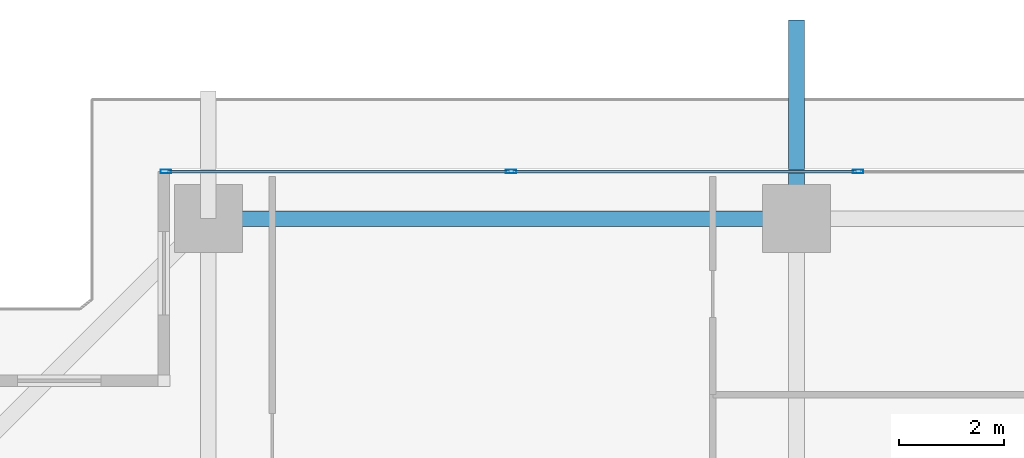
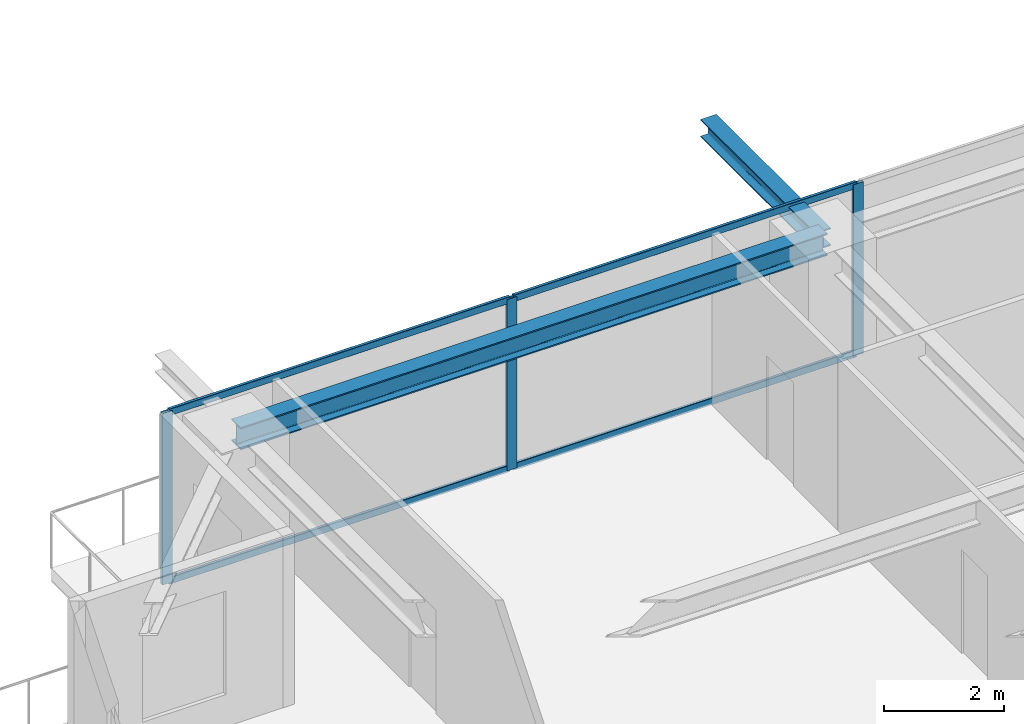
# One storey, part 20 of 36: 7 members, 2 beams, 1 element without a shape of its own.
"""IFC4 building model written with IfcOpenShell, lengths in metres."""

from ifc_helpers import new_model, si_unit, direction, frame, origin, origin_2d, place, context, subcontext, project, spatial, hollow_rectangle, i_section, extrude, source, transform, mapped, material, layer, layer_set, material_profile, profile_set, type_object, element, aggregate, save


model = new_model("IFC4")

# Units and contexts
model_context = context("Model", 3, precision=1e-05, world=origin(), true_north=direction((0.0, 1.0)))
body_context = subcontext(model_context, "Body", "Model", "MODEL_VIEW")
ifc_project = project(units=[si_unit("LENGTHUNIT", "METRE"), si_unit("AREAUNIT", "SQUARE_METRE"), si_unit("VOLUMEUNIT", "CUBIC_METRE"), si_unit("PLANEANGLEUNIT", "RADIAN"), si_unit("MASSUNIT", "GRAM", prefix="KILO")], contexts=[model_context])

# Site, building, storey
site_placement = place(None, origin())
site = spatial("IfcSite", under=ifc_project, at=site_placement, CompositionType="ELEMENT")
building_placement = place(site_placement, origin())
building = spatial("IfcBuilding", under=site, at=building_placement, Name="Serunith Strait Residences", CompositionType="ELEMENT")
storey_placement = place(building_placement, frame((0.0, 0.0, 146.39990234375)))
storey = spatial("IfcBuildingStorey", under=building, at=storey_placement, Name="L36", CompositionType="ELEMENT", Elevation=146.39990234375)

# Beams
ifc_material_1 = material(Name="Steel S355J2", Category="steel")
ifc_material_profile_1 = material_profile(ifc_material_1, i_section(OverallWidth=0.300048828125, OverallDepth=0.449951171875, WebThickness=0.013916015625, FlangeThickness=0.02587890625, FilletRadius=0.027099609375, at=origin_2d()), Name="HEB 450")
ifc_profile_set_1 = profile_set([ifc_material_profile_1], Name="Steel S355J2")
beam_type_1 = type_object("IfcBeamType", Name="BM-HEB450", PredefinedType="BEAM", material=ifc_profile_set_1)
shared_shape_1 = source(origin(), body_context, "Body", "SweptSolid", [
    extrude(i_section(OverallWidth=0.300048828125, OverallDepth=0.449951171875, WebThickness=0.013916015625, FlangeThickness=0.02587890625, FilletRadius=0.027099609375, at=origin_2d()), origin(), (0.0, 0.0, 1.0), 11.25),
])
beam_1_placement = place(storey_placement, frame((27.89990234375, 48.10009765625, 3.26220703125), z_axis=(-1.0, 0.0, 0.0), x_axis=(0.0, -1.0, 0.0)))
element("IfcBeam", 1, at=beam_1_placement, inside=storey, type_object=beam_type_1, Name="L36 Perimeter Ring Beam 11", PredefinedType="BEAM", context=body_context, shape_type="MappedRepresentation", body=[
    mapped(shared_shape_1, transform((0.0, 0.0, 0.0), scale=1.0)),
])
ifc_material_profile_2 = material_profile(ifc_material_1, i_section(OverallWidth=0.300048828125, OverallDepth=0.360107421875, WebThickness=0.012451171875, FlangeThickness=0.0224609375, FilletRadius=0.027099609375, at=origin_2d()), Name="HEB 360")
ifc_profile_set_2 = profile_set([ifc_material_profile_2], Name="Steel S355J2")
beam_type_2 = type_object("IfcBeamType", Name="BM-HEB360", PredefinedType="BEAM", material=ifc_profile_set_2)
shared_shape_2 = source(origin(), body_context, "Body", "SweptSolid", [
    extrude(i_section(OverallWidth=0.300048828125, OverallDepth=0.360107421875, WebThickness=0.012451171875, FlangeThickness=0.0224609375, FilletRadius=0.027099609375, at=origin_2d()), origin(), (0.0, 0.0, 1.0), 3.7998046875),
])
beam_2_placement = place(storey_placement, frame((27.89990234375, 48.10009765625, 3.277099609375), z_axis=(0.0, 1.0, 0.0), x_axis=(-1.0, 0.0, 0.0)))
element("IfcBeam", 2, at=beam_2_placement, inside=storey, type_object=beam_type_2, Name="L37 Cantilevered Balcony Rib TC-N2", PredefinedType="BEAM", context=body_context, shape_type="MappedRepresentation", body=[
    mapped(shared_shape_2, transform((0.0, 0.0, 0.0), scale=1.0)),
])

# Curtain wall, members
ifc_material_2 = material(Name="Pale-Champagne Anodised Aluminium", Category="aluminium")
ifc_layer = layer(ifc_material_2, 0.199951171875, Name="Pale-Champagne Anodised Aluminium")
ifc_layer_set = layer_set([ifc_layer], Name="Pale-Champagne Anodised Aluminium")
curtain_wall_type = type_object("IfcCurtainWallType", Name="CW-SYS2", PredefinedType="NOTDEFINED", material=ifc_layer_set)
curtain_wall_placement = place(storey_placement, origin())
curtain_wall = element("IfcCurtainWall", 3, at=curtain_wall_placement, inside=storey, type_object=curtain_wall_type, Name="L36 N Unitised Fritted Curtain Wall", PredefinedType="NOTDEFINED")
ifc_material_profile_3 = material_profile(ifc_material_2, hollow_rectangle(XDim=0.070068359375, YDim=0.199951171875, WallThickness=0.00390625, InnerFilletRadius=0.006103515625, OuterFilletRadius=0.010009765625, at=origin_2d()), Name="ALU 200x70x4")
ifc_profile_set_3 = profile_set([ifc_material_profile_3], Name="Pale-Champagne Anodised Aluminium")
member_type_1 = type_object("IfcMemberType", Name="CW-SYS2-MULL", PredefinedType="MULLION", material=ifc_profile_set_3)
shared_shape_3 = source(origin(), body_context, "Body", "SweptSolid", [
    extrude(hollow_rectangle(XDim=0.070068359375, YDim=0.199951171875, WallThickness=0.00390625, InnerFilletRadius=0.006103515625, OuterFilletRadius=0.010009765625, at=origin_2d()), origin(), (0.0, 0.0, 1.0), 3.47509765625),
])
member_1_placement = place(storey_placement, frame((29.080078125, 49.0, 0.0), z_axis=(0.0, 0.0, 1.0), x_axis=(0.0, -1.0, 0.0)))
member_1 = element("IfcMember", 4, at=member_1_placement, type_object=member_type_1, Name="CW-2 mullion 4", PredefinedType="MULLION", context=body_context, shape_type="MappedRepresentation", body=[
    mapped(shared_shape_3, transform((0.0, 0.0, 0.0), scale=1.0)),
])
member_2_placement = place(storey_placement, frame((22.43994140625, 49.0, 0.0), z_axis=(0.0, 0.0, 1.0), x_axis=(0.0, -1.0, 0.0)))
member_2 = element("IfcMember", 5, at=member_2_placement, type_object=member_type_1, Name="CW-2 mullion 5", PredefinedType="MULLION", context=body_context, shape_type="MappedRepresentation", body=[
    mapped(shared_shape_3, transform((0.0, 0.0, 0.0), scale=1.0)),
])
member_3_placement = place(storey_placement, frame((15.8349609375, 49.0, 0.0), z_axis=(0.0, 0.0, 1.0), x_axis=(0.0, -1.0, 0.0)))
member_3 = element("IfcMember", 6, at=member_3_placement, type_object=member_type_1, Name="CW-2 mullion 6", PredefinedType="MULLION", context=body_context, shape_type="MappedRepresentation", body=[
    mapped(shared_shape_3, transform((0.0, 0.0, 0.0), scale=1.0)),
])
ifc_material_profile_4 = material_profile(ifc_material_2, hollow_rectangle(XDim=0.06005859375, YDim=0.139892578125, WallThickness=0.00341796875, InnerFilletRadius=0.00537109375, OuterFilletRadius=0.0087890625, at=origin_2d()), Name="ALU 140x60x3.5")
ifc_profile_set_4 = profile_set([ifc_material_profile_4], Name="Pale-Champagne Anodised Aluminium")
member_type_2 = type_object("IfcMemberType", Name="CW-SYS2-TRAN", PredefinedType="USERDEFINED", material=ifc_profile_set_4)
shared_shape_4 = source(origin(), body_context, "Body", "SweptSolid", [
    extrude(hollow_rectangle(XDim=0.06005859375, YDim=0.139892578125, WallThickness=0.00341796875, InnerFilletRadius=0.00537109375, OuterFilletRadius=0.0087890625, at=origin_2d()), origin(), (0.0, 0.0, 1.0), 6.534912109375),
])
member_4_placement = place(storey_placement, frame((22.405029296875, 49.0, 0.030029296875), z_axis=(-1.0, 0.0, 0.0), x_axis=(0.0, -1.0, 0.0)))
member_4 = element("IfcMember", 7, at=member_4_placement, type_object=member_type_2, Name="CW-2 transom 5.1", ObjectType="TRANSOM", PredefinedType="USERDEFINED", context=body_context, shape_type="MappedRepresentation", body=[
    mapped(shared_shape_4, transform((0.0, 0.0, 0.0), scale=1.0)),
])
member_5_placement = place(storey_placement, frame((22.405029296875, 49.0, 3.445068359375), z_axis=(-1.0, 0.0, 0.0), x_axis=(0.0, -1.0, 0.0)))
member_5 = element("IfcMember", 8, at=member_5_placement, type_object=member_type_2, Name="CW-2 transom 5.2", ObjectType="TRANSOM", PredefinedType="USERDEFINED", context=body_context, shape_type="MappedRepresentation", body=[
    mapped(shared_shape_4, transform((0.0, 0.0, 0.0), scale=1.0)),
])
shared_shape_5 = source(origin(), body_context, "Body", "SweptSolid", [
    extrude(hollow_rectangle(XDim=0.06005859375, YDim=0.139892578125, WallThickness=0.00341796875, InnerFilletRadius=0.00537109375, OuterFilletRadius=0.0087890625, at=origin_2d()), origin(), (0.0, 0.0, 1.0), 6.56982421875),
])
member_6_placement = place(storey_placement, frame((29.044921875, 49.0, 0.030029296875), z_axis=(-1.0, 0.0, 0.0), x_axis=(0.0, -1.0, 0.0)))
member_6 = element("IfcMember", 9, at=member_6_placement, type_object=member_type_2, Name="CW-2 transom 4.1", ObjectType="TRANSOM", PredefinedType="USERDEFINED", context=body_context, shape_type="MappedRepresentation", body=[
    mapped(shared_shape_5, transform((0.0, 0.0, 0.0), scale=1.0)),
])
member_7_placement = place(storey_placement, frame((29.044921875, 49.0, 3.445068359375), z_axis=(-1.0, 0.0, 0.0), x_axis=(0.0, -1.0, 0.0)))
member_7 = element("IfcMember", 10, at=member_7_placement, type_object=member_type_2, Name="CW-2 transom 4.2", ObjectType="TRANSOM", PredefinedType="USERDEFINED", context=body_context, shape_type="MappedRepresentation", body=[
    mapped(shared_shape_5, transform((0.0, 0.0, 0.0), scale=1.0)),
])
aggregate(curtain_wall, [member_1, member_2, member_3, member_6, member_7, member_4, member_5])

save(model, "model.ifc")
